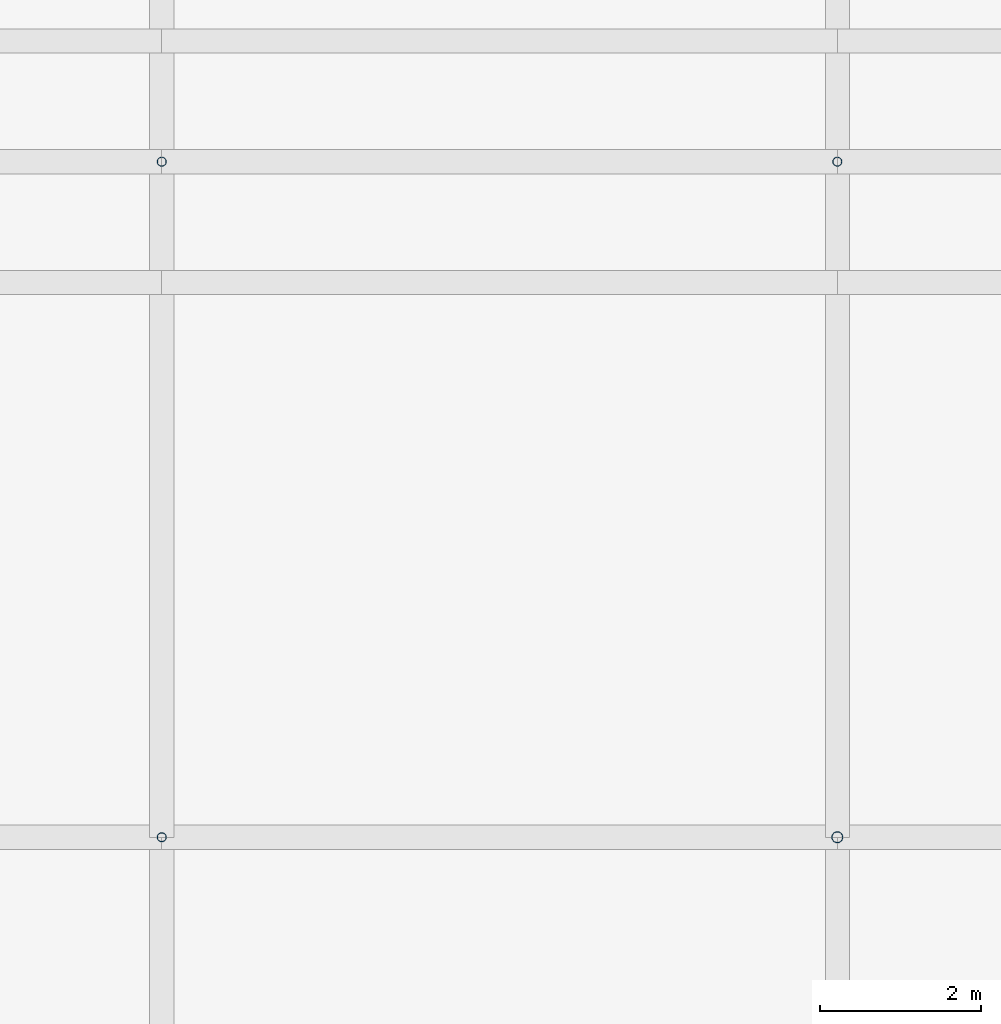
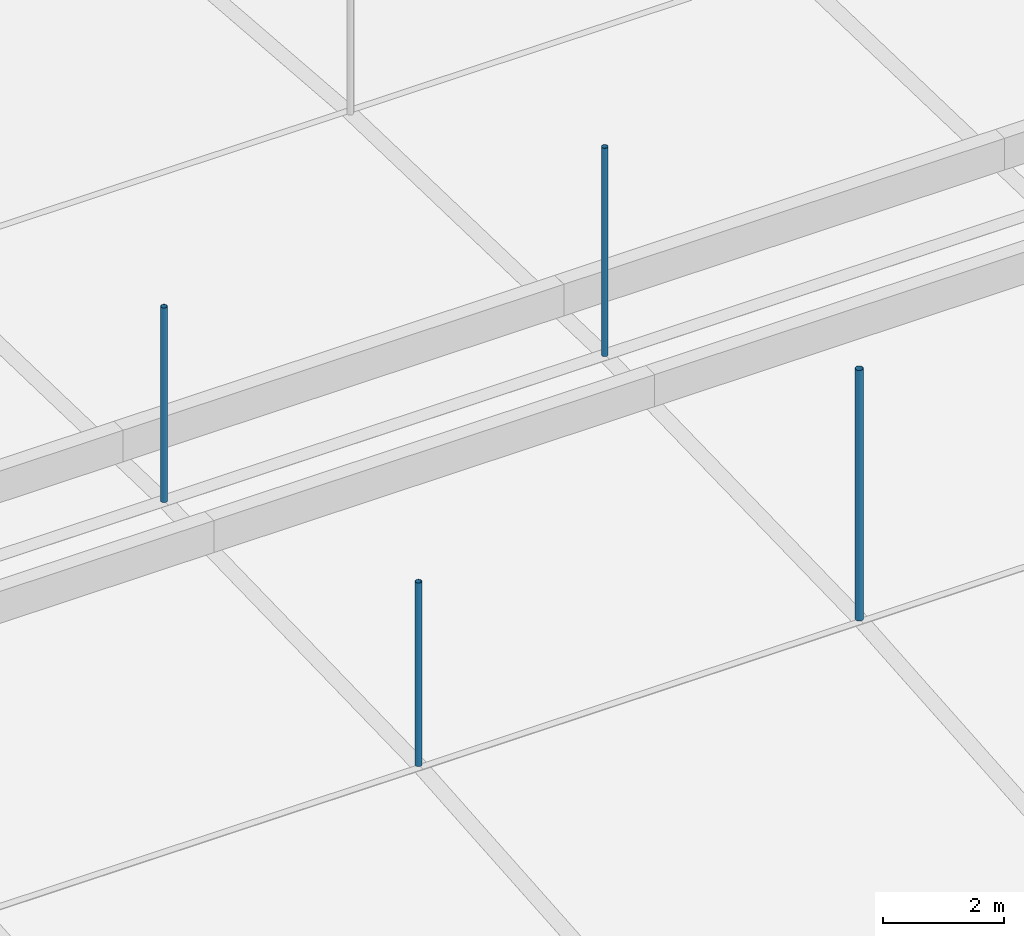
# One storey, part 10 of 37: 4 discrete accessories.
"""IFC4 building model written with IfcOpenShell, lengths in metres."""

from ifc_helpers import new_model, si_unit, direction, frame, origin, origin_2d, place, context, subcontext, project, spatial, hollow_circle, extrude, material, material_profile, profile_set, type_object, element, save


model = new_model("IFC4")

# Units and contexts
model_context = context("Model", 3, precision=1e-05, world=origin(), true_north=direction((0.0, 1.0)))
body_context = subcontext(model_context, "Body", "Model", "MODEL_VIEW")
ifc_project = project(units=[si_unit("LENGTHUNIT", "METRE"), si_unit("AREAUNIT", "SQUARE_METRE"), si_unit("VOLUMEUNIT", "CUBIC_METRE"), si_unit("PLANEANGLEUNIT", "RADIAN"), si_unit("MASSUNIT", "GRAM", prefix="KILO")], contexts=[model_context])

# Site, building, storey
site_placement = place(None, origin())
site = spatial("IfcSite", under=ifc_project, at=site_placement, CompositionType="ELEMENT")
building_placement = place(site_placement, origin())
building = spatial("IfcBuilding", under=site, at=building_placement, Name="Rain Tree Exposition and Congress Centre", CompositionType="ELEMENT")
storey_placement = place(building_placement, frame((0.0, 0.0, 25.0)))
storey = spatial("IfcBuildingStorey", under=building, at=storey_placement, Name="ROOF VAULT LOW", CompositionType="ELEMENT", Elevation=25.0)

# Discrete accessories
ifc_material_1 = material(Name="Steel S355J2H", Category="steel")
ifc_material_profile_1 = material_profile(ifc_material_1, hollow_circle(Radius=0.05712890625, WallThickness=0.00439453125, at=origin_2d()), Name="CHS 114x4.5")
ifc_profile_set_1 = profile_set([ifc_material_profile_1], Name="Steel S355J2H")
discrete_accessory_type_1 = type_object("IfcDiscreteAccessoryType", Name="Roof skin post CHS 114x4.5", PredefinedType="BRACKET", material=ifc_profile_set_1)
discrete_accessory_1_placement = place(storey_placement, frame((25.199951171875, 142.800048828125, 1.1728515625), z_axis=(0.0, 0.0, 1.0), x_axis=(1.0, 0.0, 0.0)))
element("IfcDiscreteAccessory", 1, at=discrete_accessory_1_placement, inside=storey, type_object=discrete_accessory_type_1, Name="Roof skin post A78", PredefinedType="BRACKET", context=body_context, shape_type="SweptSolid", body=[
    extrude(hollow_circle(Radius=0.05712890625, WallThickness=0.00439453125, at=origin_2d()), origin(), (0.0, 0.0, 1.0), 3.6982421875),
])
discrete_accessory_2_placement = place(storey_placement, frame((25.199951171875, 151.199951171875, 1.39990234375), z_axis=(0.0, 0.0, 1.0), x_axis=(1.0, 0.0, 0.0)))
element("IfcDiscreteAccessory", 2, at=discrete_accessory_2_placement, inside=storey, type_object=discrete_accessory_type_1, Name="Roof skin post A93", PredefinedType="BRACKET", context=body_context, shape_type="SweptSolid", body=[
    extrude(hollow_circle(Radius=0.05712890625, WallThickness=0.00439453125, at=origin_2d()), origin(), (0.0, 0.0, 1.0), 3.920166015625),
])
discrete_accessory_3_placement = place(storey_placement, frame((33.60009765625, 151.199951171875, 1.39990234375), z_axis=(0.0, 0.0, 1.0), x_axis=(1.0, 0.0, 0.0)))
element("IfcDiscreteAccessory", 3, at=discrete_accessory_3_placement, inside=storey, type_object=discrete_accessory_type_1, Name="Roof skin post A94", PredefinedType="BRACKET", context=body_context, shape_type="SweptSolid", body=[
    extrude(hollow_circle(Radius=0.05712890625, WallThickness=0.00439453125, at=origin_2d()), origin(), (0.0, 0.0, 1.0), 4.197265625),
])
ifc_material_2 = material(Name="Steel S355J2H", Category="steel")
ifc_material_profile_2 = material_profile(ifc_material_2, hollow_circle(Radius=0.06982421875, WallThickness=0.0048828125, at=origin_2d()), Name="CHS 140x5")
ifc_profile_set_2 = profile_set([ifc_material_profile_2], Name="Steel S355J2H")
discrete_accessory_type_2 = type_object("IfcDiscreteAccessoryType", Name="Roof skin post CHS 140x5", PredefinedType="BRACKET", material=ifc_profile_set_2)
discrete_accessory_4_placement = place(storey_placement, frame((33.60009765625, 142.800048828125, 1.1728515625), z_axis=(0.0, 0.0, 1.0), x_axis=(1.0, 0.0, 0.0)))
element("IfcDiscreteAccessory", 4, at=discrete_accessory_4_placement, inside=storey, type_object=discrete_accessory_type_2, Name="Roof skin post A79", PredefinedType="BRACKET", context=body_context, shape_type="SweptSolid", body=[
    extrude(hollow_circle(Radius=0.06982421875, WallThickness=0.0048828125, at=origin_2d()), origin(), (0.0, 0.0, 1.0), 5.04931640625),
])

save(model, "model.ifc")
